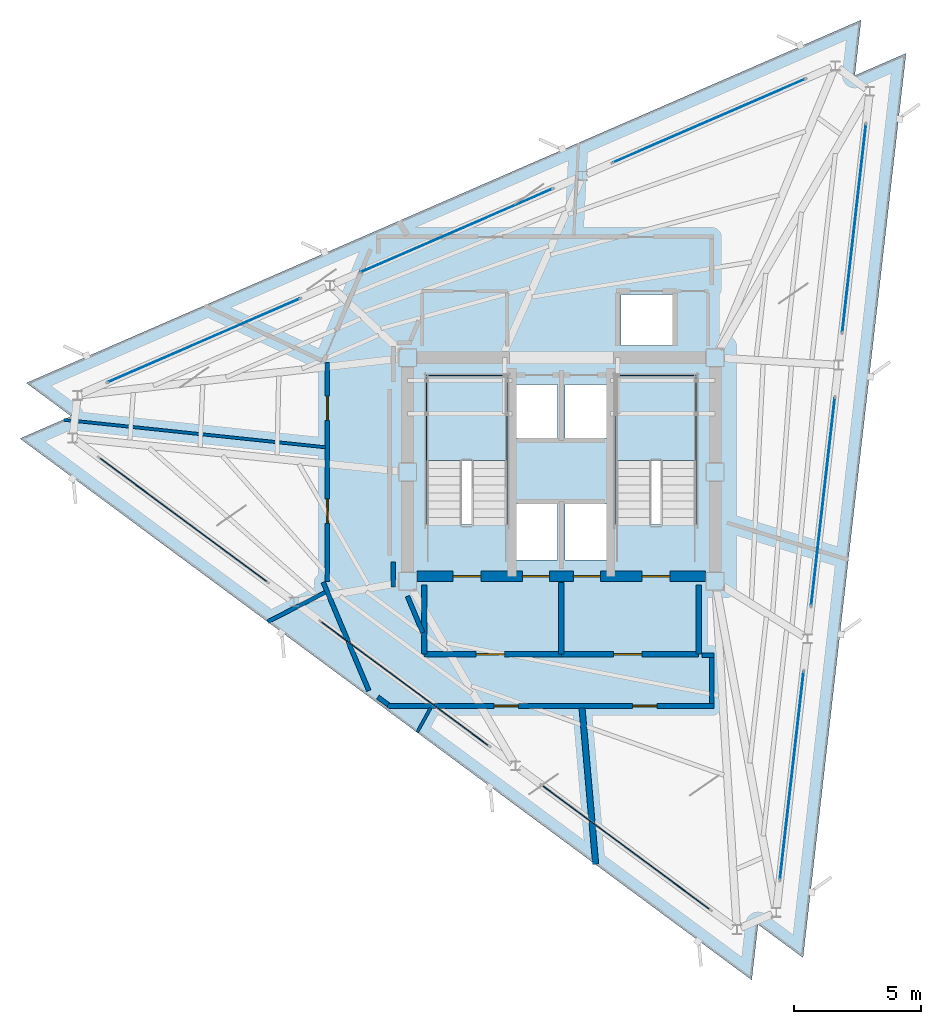
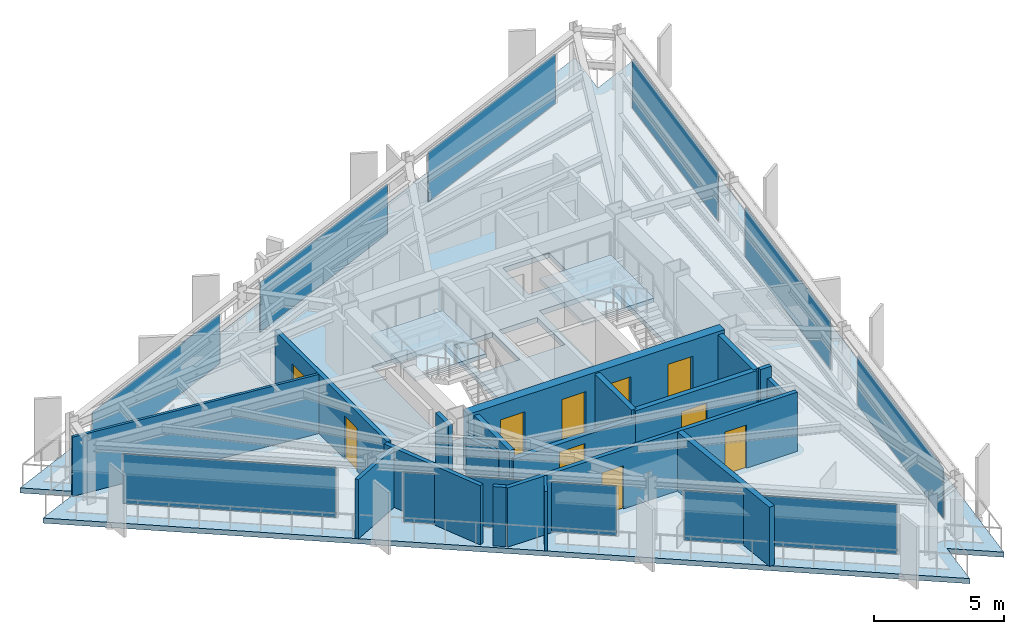
# One storey, part 5 of 10: 18 walls, 10 doors, 9 plates, 3 slabs, 10 openings, 11 elements without a shape of their own.
"""IFC4 building model written with IfcOpenShell, lengths in metres."""

from ifc_helpers import new_model, si_unit, direction, frame, frame_2d, origin, origin_2d, place, context, subcontext, project, spatial, polyline, rectangle, outline, extrude, material, layer, layer_set, type_object, element, fill, aggregate, save


model = new_model("IFC4")

# Units and contexts
model_context = context("Model", 3, precision=1e-05, world=origin(), true_north=direction((0.0, 1.0)))
body_context = subcontext(model_context, "Body", "Model", "MODEL_VIEW")
ifc_project = project(units=[si_unit("LENGTHUNIT", "METRE"), si_unit("AREAUNIT", "SQUARE_METRE"), si_unit("VOLUMEUNIT", "CUBIC_METRE"), si_unit("PLANEANGLEUNIT", "RADIAN"), si_unit("MASSUNIT", "GRAM", prefix="KILO")], contexts=[model_context])

# Site, building, storey
site_placement = place(None, origin())
site = spatial("IfcSite", under=ifc_project, at=site_placement, CompositionType="ELEMENT")
building_placement = place(site_placement, origin())
building = spatial("IfcBuilding", under=site, at=building_placement, Name="Rocaltana Carrier Exchange", CompositionType="ELEMENT")
storey_placement = place(building_placement, frame((0.0, 0.0, 230.080078125)))
storey = spatial("IfcBuildingStorey", under=building, at=storey_placement, Name="L73", CompositionType="ELEMENT", Elevation=230.080078125)

# Curtain wall, plate
ifc_material_1 = material(Name="Aluminium 6063-T6", Category="aluminium")
ifc_layer_1 = layer(ifc_material_1, 0.1201171875)
ifc_layer_set_1 = layer_set([ifc_layer_1], Name="Aluminium 6063-T6")
curtain_wall_type = type_object("IfcCurtainWallType", Name="High-Altitude Thermal Curtain Wall CW-05", PredefinedType="NOTDEFINED", material=ifc_layer_set_1)
curtain_wall_1_placement = place(storey_placement, origin())
curtain_wall_1 = element("IfcCurtainWall", 1, at=curtain_wall_1_placement, inside=storey, type_object=curtain_wall_type, Name="L73 CW-05 Run CW-L73-F1S1", PredefinedType="NOTDEFINED")
ifc_material_2 = material(Name="Tempered Laminated Glass", Category="glass")
ifc_layer_2 = layer(ifc_material_2, 0.035888671875)
ifc_layer_set_2 = layer_set([ifc_layer_2], Name="Tempered Laminated Glass")
plate_type = type_object("IfcPlateType", Name="CW-05 Stone-Insulated Vision Panel", PredefinedType="CURTAIN_PANEL", material=ifc_layer_set_2)
plate_1_placement = place(storey_placement, frame((9.061767578125, -11.935791015625, 0.06005859375), z_axis=(0.0, 0.0, 1.0), x_axis=(0.113208822277, 0.993571216652, 0.0)))
plate_1 = element("IfcPlate", 2, at=plate_1_placement, type_object=plate_type, Name="CW-05 panel 1.1", PredefinedType="CURTAIN_PANEL", context=body_context, shape_type="SweptSolid", body=[
    extrude(rectangle(XDim=8.21337890625, YDim=0.035888671875, at=origin_2d()), origin(), (0.0, 0.0, 1.0), 2.327880859375),
])
aggregate(curtain_wall_1, [plate_1])

curtain_wall_2_placement = place(storey_placement, origin())
curtain_wall_2 = element("IfcCurtainWall", 3, at=curtain_wall_2_placement, inside=storey, type_object=curtain_wall_type, Name="L73 CW-05 Run CW-L73-F1S2", PredefinedType="NOTDEFINED")
plate_2_placement = place(storey_placement, frame((10.2880859375, -1.172119140625, 0.06005859375), z_axis=(0.0, 0.0, 1.0), x_axis=(0.113208822277, 0.993571216652, 0.0)))
plate_2 = element("IfcPlate", 4, at=plate_2_placement, type_object=plate_type, Name="CW-05 panel 1.1", PredefinedType="CURTAIN_PANEL", context=body_context, shape_type="SweptSolid", body=[
    extrude(rectangle(XDim=8.21337890625, YDim=0.035888671875, at=origin_2d()), origin(), (0.0, 0.0, 1.0), 2.327880859375),
])
aggregate(curtain_wall_2, [plate_2])

curtain_wall_3_placement = place(storey_placement, origin())
curtain_wall_3 = element("IfcCurtainWall", 5, at=curtain_wall_3_placement, inside=storey, type_object=curtain_wall_type, Name="L73 CW-05 Run CW-L73-F1S3", PredefinedType="NOTDEFINED")
plate_3_placement = place(storey_placement, frame((11.5146484375, 9.591552734375, 0.06005859375), z_axis=(0.0, 0.0, 1.0), x_axis=(0.113196975964, 0.993572566365, 0.0)))
plate_3 = element("IfcPlate", 6, at=plate_3_placement, type_object=plate_type, Name="CW-05 panel 1.1", PredefinedType="CURTAIN_PANEL", context=body_context, shape_type="SweptSolid", body=[
    extrude(rectangle(XDim=8.21337890625, YDim=0.035888671875, at=origin_2d()), origin(), (0.0, 0.0, 1.0), 2.327880859375),
])
aggregate(curtain_wall_3, [plate_3])

curtain_wall_4_placement = place(storey_placement, origin())
curtain_wall_4 = element("IfcCurtainWall", 7, at=curtain_wall_4_placement, inside=storey, type_object=curtain_wall_type, Name="L73 CW-05 Run CW-L73-F2S1", PredefinedType="NOTDEFINED")
plate_4_placement = place(storey_placement, frame((5.805908203125, 13.815673828125, 0.06005859375), z_axis=(0.0, 0.0, 1.0), x_axis=(-0.917056701313, -0.39875682637, 0.0)))
plate_4 = element("IfcPlate", 8, at=plate_4_placement, type_object=plate_type, Name="CW-05 panel 1.1", PredefinedType="CURTAIN_PANEL", context=body_context, shape_type="SweptSolid", body=[
    extrude(rectangle(XDim=8.21337890625, YDim=0.035888671875, at=origin_2d()), origin(), (0.0, 0.0, 1.0), 2.327880859375),
])
aggregate(curtain_wall_4, [plate_4])

curtain_wall_5_placement = place(storey_placement, origin())
curtain_wall_5 = element("IfcCurtainWall", 9, at=curtain_wall_5_placement, inside=storey, type_object=curtain_wall_type, Name="L73 CW-05 Run CW-L73-F2S2", PredefinedType="NOTDEFINED")
plate_5_placement = place(storey_placement, frame((-4.12890625, 9.495849609375, 0.06005859375), z_axis=(0.0, 0.0, 1.0), x_axis=(-0.917058609352, -0.398752438254, 0.0)))
plate_5 = element("IfcPlate", 10, at=plate_5_placement, type_object=plate_type, Name="CW-05 panel 1.1", PredefinedType="CURTAIN_PANEL", context=body_context, shape_type="SweptSolid", body=[
    extrude(rectangle(XDim=8.21337890625, YDim=0.035888671875, at=origin_2d()), origin(), (0.0, 0.0, 1.0), 2.327880859375),
])
aggregate(curtain_wall_5, [plate_5])

curtain_wall_6_placement = place(storey_placement, origin())
curtain_wall_6 = element("IfcCurtainWall", 11, at=curtain_wall_6_placement, inside=storey, type_object=curtain_wall_type, Name="L73 CW-05 Run CW-L73-F2S3", PredefinedType="NOTDEFINED")
plate_6_placement = place(storey_placement, frame((-14.063720703125, 5.176025390625, 0.06005859375), z_axis=(0.0, 0.0, 1.0), x_axis=(-0.917056701313, -0.39875682637, 0.0)))
plate_6 = element("IfcPlate", 12, at=plate_6_placement, type_object=plate_type, Name="CW-05 panel 1.1", PredefinedType="CURTAIN_PANEL", context=body_context, shape_type="SweptSolid", body=[
    extrude(rectangle(XDim=8.21337890625, YDim=0.035888671875, at=origin_2d()), origin(), (0.0, 0.0, 1.0), 2.327880859375),
])
aggregate(curtain_wall_6, [plate_6])

curtain_wall_7_placement = place(storey_placement, origin())
curtain_wall_7 = element("IfcCurtainWall", 13, at=curtain_wall_7_placement, inside=storey, type_object=curtain_wall_type, Name="L73 CW-05 Run CW-L73-F3S1", PredefinedType="NOTDEFINED")
plate_7_placement = place(storey_placement, frame((-14.86767578125, -1.8798828125, 0.06005859375), z_axis=(0.0, 0.0, 1.0), x_axis=(0.803854063386, -0.594826566974, 0.0)))
plate_7 = element("IfcPlate", 14, at=plate_7_placement, type_object=plate_type, Name="CW-05 panel 1.1", PredefinedType="CURTAIN_PANEL", context=body_context, shape_type="SweptSolid", body=[
    extrude(rectangle(XDim=8.21337890625, YDim=0.035888671875, at=origin_2d()), origin(), (0.0, 0.0, 1.0), 2.327880859375),
])
aggregate(curtain_wall_7, [plate_7])

curtain_wall_8_placement = place(storey_placement, origin())
curtain_wall_8 = element("IfcCurtainWall", 15, at=curtain_wall_8_placement, inside=storey, type_object=curtain_wall_type, Name="L73 CW-05 Run CW-L73-F3S2", PredefinedType="NOTDEFINED")
plate_8_placement = place(storey_placement, frame((-6.1591796875, -8.32373046875, 0.06005859375), z_axis=(0.0, 0.0, 1.0), x_axis=(0.803858309141, -0.594820829179, 0.0)))
plate_8 = element("IfcPlate", 16, at=plate_8_placement, type_object=plate_type, Name="CW-05 panel 1.1", PredefinedType="CURTAIN_PANEL", context=body_context, shape_type="SweptSolid", body=[
    extrude(rectangle(XDim=8.21337890625, YDim=0.035888671875, at=origin_2d()), origin(), (0.0, 0.0, 1.0), 2.327880859375),
])
aggregate(curtain_wall_8, [plate_8])

curtain_wall_9_placement = place(storey_placement, origin())
curtain_wall_9 = element("IfcCurtainWall", 17, at=curtain_wall_9_placement, inside=storey, type_object=curtain_wall_type, Name="L73 CW-05 Run CW-L73-F3S3", PredefinedType="NOTDEFINED")
plate_9_placement = place(storey_placement, frame((2.54931640625, -14.767578125, 0.06005859375), z_axis=(0.0, 0.0, 1.0), x_axis=(0.803854063386, -0.594826566974, 0.0)))
plate_9 = element("IfcPlate", 18, at=plate_9_placement, type_object=plate_type, Name="CW-05 panel 1.1", PredefinedType="CURTAIN_PANEL", context=body_context, shape_type="SweptSolid", body=[
    extrude(rectangle(XDim=8.21337890625, YDim=0.035888671875, at=origin_2d()), origin(), (0.0, 0.0, 1.0), 2.327880859375),
])
aggregate(curtain_wall_9, [plate_9])

# Slab
ifc_material_3 = material(Name="Concrete C50/60", Category="concrete")
ifc_layer_3 = layer(ifc_material_3, 0.239990234375)
ifc_layer_set_3 = layer_set([ifc_layer_3], Name="Concrete C50/60")
slab_type_1 = type_object("IfcSlabType", Name="High-Zone Tower Slab 240", PredefinedType="FLOOR", material=ifc_layer_set_3)
slab_1_placement = place(storey_placement, frame((0.0, 0.0, -0.239990234375)))
element("IfcSlab", 19, at=slab_1_placement, inside=storey, type_object=slab_type_1, Name="L73 Structural Floor Slab", PredefinedType="FLOOR", context=body_context, shape_type="SweptSolid", body=[
    extrude(outline(polyline([(7.486328125, -19.975830078125), (7.7353515625, -17.7900390625), (9.50390625, -19.0986328125), (13.556396484375, 16.47119140625), (11.538818359375, 15.593994140625), (11.7880859375, 17.77978515625), (-21.042724609375, 3.504638671875), (-19.2744140625, 2.196044921875), (-21.291748046875, 1.31884765625), (7.486328125, -19.975830078125)]), holes=[polyline([(-5.300048828125, -2.06005859375), (-2.139892578125, -2.06005859375), (-2.139892578125, 3.800048828125), (-5.300048828125, 3.800048828125), (-5.300048828125, -2.06005859375)]), polyline([(2.139892578125, -2.06005859375), (5.300048828125, -2.06005859375), (5.300048828125, 3.800048828125), (2.139892578125, 3.800048828125), (2.139892578125, -2.06005859375)]), polyline([(-1.85009765625, -3.449951171875), (-0.14990234375, -3.449951171875), (-0.14990234375, -1.25), (-1.85009765625, -1.25), (-1.85009765625, -3.449951171875)]), polyline([(0.14990234375, -3.449951171875), (1.85009765625, -3.449951171875), (1.85009765625, -1.25), (0.14990234375, -1.25), (0.14990234375, -3.449951171875)]), polyline([(2.35009765625, 4.97998046875), (4.39990234375, 4.97998046875), (4.39990234375, 6.97998046875), (2.35009765625, 6.97998046875), (2.35009765625, 4.97998046875)]), polyline([(-1.85009765625, 1.35009765625), (-0.14990234375, 1.35009765625), (-0.14990234375, 3.449951171875), (-1.85009765625, 3.449951171875), (-1.85009765625, 1.35009765625)]), polyline([(0.14990234375, 1.35009765625), (1.85009765625, 1.35009765625), (1.85009765625, 3.449951171875), (0.14990234375, 3.449951171875), (0.14990234375, 1.35009765625)])]), origin(), (0.0, 0.0, 1.0), 0.239990234375),
])

# Stair, slab
ifc_material_4 = material(Name="Precast concrete C45/55", Category="concrete")
stair_type = type_object("IfcStairType", Name="Standard Dog-Leg Stair 160", PredefinedType="HALF_TURN_STAIR", material=ifc_material_4)
stair_1_placement = place(storey_placement, origin())
stair_1 = element("IfcStair", 20, at=stair_1_placement, inside=storey, type_object=stair_type, Name="L73 Core West Exit Stair ST-1", PredefinedType="HALF_TURN_STAIR")
ifc_material_5 = material(Name="Precast concrete C45/55", Category="concrete")
ifc_layer_4 = layer(ifc_material_5, 0.199951171875)
ifc_layer_set_4 = layer_set([ifc_layer_4], Name="Precast concrete C45/55")
slab_type_2 = type_object("IfcSlabType", Name="Precast Stair Half-Landing 200", PredefinedType="LANDING", material=ifc_layer_set_4)
slab_2_placement = place(storey_placement, frame((0.0, 0.0, 1.31982421875)))
slab_2 = element("IfcSlab", 21, at=slab_2_placement, type_object=slab_type_2, Name="ST-1 landing 1", PredefinedType="LANDING", context=body_context, shape_type="SweptSolid", body=[
    extrude(outline(polyline([(-2.139892578125, 0.4599609375), (-2.139892578125, 3.800048828125), (-5.300048828125, 3.800048828125), (-5.300048828125, 0.4599609375), (-2.139892578125, 0.4599609375)])), origin(), (0.0, 0.0, 1.0), 0.2001953125),
])
aggregate(stair_1, [slab_2])

stair_2_placement = place(storey_placement, origin())
stair_2 = element("IfcStair", 22, at=stair_2_placement, inside=storey, type_object=stair_type, Name="L73 Core East Exit Stair ST-2", PredefinedType="HALF_TURN_STAIR")
slab_3_placement = place(storey_placement, frame((0.0, 0.0, 1.31982421875)))
slab_3 = element("IfcSlab", 23, at=slab_3_placement, type_object=slab_type_2, Name="ST-2 landing 1", PredefinedType="LANDING", context=body_context, shape_type="SweptSolid", body=[
    extrude(outline(polyline([(5.300048828125, 0.4599609375), (5.300048828125, 3.800048828125), (2.139892578125, 3.800048828125), (2.139892578125, 0.4599609375), (5.300048828125, 0.4599609375)])), origin(), (0.0, 0.0, 1.0), 0.2001953125),
])
aggregate(stair_2, [slab_3])

# Wall
ifc_material_6 = material(Name="Double Acoustic Gypsum Partition", Category="gypsum")
ifc_layer_5 = layer(ifc_material_6, 0.159912109375)
ifc_layer_set_5 = layer_set([ifc_layer_5], Name="Double Acoustic Gypsum Partition")
wall_type_1 = type_object("IfcWallType", Name="Acoustic Studio Partition 160 EI60", PredefinedType="PARTITIONING", material=ifc_layer_set_5)
wall_1_placement = place(storey_placement, frame((-9.28564453125, -4.731201171875, 0.0), z_axis=(0.0, 0.0, 1.0), x_axis=(-0.890990970919, -0.454021023456, 0.0)))
element("IfcWall", 24, at=wall_1_placement, inside=storey, type_object=wall_type_1, Name="L73 Suite Divider Wall D1", PredefinedType="PARTITIONING", context=body_context, shape_type="SweptSolid", body=[
    extrude(rectangle(XDim=2.534423828125, YDim=0.159912109375, at=frame_2d((1.26708984375, 0.0))), origin(), (0.0, 0.0, 1.0), 2.77294921875),
])

# Wall, openings, doors
ifc_material_7 = material(Name="Concrete C50/60", Category="concrete")
ifc_layer_6 = layer(ifc_material_7, 0.39990234375)
ifc_layer_set_6 = layer_set([ifc_layer_6], Name="Concrete C50/60")
wall_type_2 = type_object("IfcWallType", Name="Core Internal Shear Wall 400", PredefinedType="SHEAR", material=ifc_layer_set_6)
wall_2_placement = place(storey_placement, frame((-5.675048828125, -4.10009765625, 0.0), z_axis=(0.0, 0.0, 1.0), x_axis=(1.0, 0.0, 0.0)))
wall_2 = element("IfcWall", 25, at=wall_2_placement, inside=storey, type_object=wall_type_2, Name="L73 Core Shear Wall CW-S", PredefinedType="SHEAR", context=body_context, shape_type="SweptSolid", body=[
    extrude(rectangle(XDim=11.35009765625, YDim=0.39990234375, at=frame_2d((5.675048828125, 0.0))), origin(), (0.0, 0.0, 1.0), 2.7978515625),
])
opening_1_placement = place(wall_2_placement, frame((1.405029296875, 0.0, 0.0)))
opening_1 = element("IfcOpeningElement", 26, at=opening_1_placement, cuts=wall_2, Name="Opening D-ST110", PredefinedType="OPENING", context=body_context, shape_type="SweptSolid", body=[
    extrude(rectangle(XDim=1.10009765625, YDim=2.0400390625, at=frame_2d((0.550048828125, 1.02001953125))), frame((0.0, 0.2099609375, 0.0), z_axis=(0.0, -1.0, 0.0), x_axis=(1.0, 0.0, 0.0)), (0.0, 0.0, 1.0), 0.419921875),
])
opening_2_placement = place(wall_2_placement, frame((8.844970703125, 0.0, 0.0)))
opening_2 = element("IfcOpeningElement", 27, at=opening_2_placement, cuts=wall_2, Name="Opening D-ST110", PredefinedType="OPENING", context=body_context, shape_type="SweptSolid", body=[
    extrude(rectangle(XDim=1.10009765625, YDim=2.0400390625, at=frame_2d((0.550048828125, 1.02001953125))), frame((0.0, 0.2099609375, 0.0), z_axis=(0.0, -1.0, 0.0), x_axis=(1.0, 0.0, 0.0)), (0.0, 0.0, 1.0), 0.419921875),
])
opening_3_placement = place(wall_2_placement, frame((4.14501953125, 0.0, 0.0)))
opening_3 = element("IfcOpeningElement", 28, at=opening_3_placement, cuts=wall_2, Name="Opening LD-110", PredefinedType="OPENING", context=body_context, shape_type="SweptSolid", body=[
    extrude(rectangle(XDim=1.06005859375, YDim=2.0400390625, at=frame_2d((0.530029296875, 1.02001953125))), frame((0.0, 0.2099609375, 0.0), z_axis=(0.0, -1.0, 0.0), x_axis=(1.0, 0.0, 0.0)), (0.0, 0.0, 1.0), 0.419921875),
])
opening_4_placement = place(wall_2_placement, frame((6.14501953125, 0.0, 0.0)))
opening_4 = element("IfcOpeningElement", 29, at=opening_4_placement, cuts=wall_2, Name="Opening LD-110", PredefinedType="OPENING", context=body_context, shape_type="SweptSolid", body=[
    extrude(rectangle(XDim=1.06005859375, YDim=2.0400390625, at=frame_2d((0.530029296875, 1.02001953125))), frame((0.0, 0.2099609375, 0.0), z_axis=(0.0, -1.0, 0.0), x_axis=(1.0, 0.0, 0.0)), (0.0, 0.0, 1.0), 0.419921875),
])
ifc_material_8 = material(Name="Hollow Metal Fire Door Assembly", Category="steel")
door_type_1 = type_object("IfcDoorType", Name="Exit Stair Fire Door 1100x2040 FD90S", OperationType="NOTDEFINED", PredefinedType="DOOR", material=ifc_material_8)
door_1_placement = place(opening_1_placement, origin())
door_1 = element("IfcDoor", 30, at=door_1_placement, inside=storey, type_object=door_type_1, Name="L73 Exit Stair ST1 Fire Door", OperationType="SINGLE_SWING_RIGHT", OverallHeight=2.0400390625, OverallWidth=1.10009765625, PredefinedType="DOOR", context=body_context, shape_type="SweptSolid", body=[
    extrude(rectangle(XDim=1.10009765625, YDim=2.0400390625, at=frame_2d((0.550048828125, 1.02001953125))), frame((0.0, 0.02490234375, 0.0), z_axis=(0.0, -1.0, 0.0), x_axis=(1.0, 0.0, 0.0)), (0.0, 0.0, 1.0), 0.050048828125),
])
fill(opening_1, door_1)
door_2_placement = place(opening_2_placement, origin())
door_2 = element("IfcDoor", 31, at=door_2_placement, inside=storey, type_object=door_type_1, Name="L73 Exit Stair ST2 Fire Door", OperationType="SINGLE_SWING_LEFT", OverallHeight=2.0400390625, OverallWidth=1.10009765625, PredefinedType="DOOR", context=body_context, shape_type="SweptSolid", body=[
    extrude(rectangle(XDim=1.10009765625, YDim=2.0400390625, at=frame_2d((0.550048828125, 1.02001953125))), frame((0.0, 0.02490234375, 0.0), z_axis=(0.0, -1.0, 0.0), x_axis=(1.0, 0.0, 0.0)), (0.0, 0.0, 1.0), 0.050048828125),
])
fill(opening_2, door_2)
ifc_material_9 = material(Name="Brushed Stainless Sliding Door Leaf", Category="steel")
door_type_2 = type_object("IfcDoorType", Name="Lift Landing Sliding Door 1060x2040", OperationType="NOTDEFINED", PredefinedType="DOOR", material=ifc_material_9)
door_3_placement = place(opening_3_placement, origin())
door_3 = element("IfcDoor", 32, at=door_3_placement, inside=storey, type_object=door_type_2, Name="L73 Firefighting Lift FFL1 Landing Door", OperationType="SLIDING_TO_LEFT", OverallHeight=2.0400390625, OverallWidth=1.06005859375, PredefinedType="DOOR", context=body_context, shape_type="SweptSolid", body=[
    extrude(rectangle(XDim=1.06005859375, YDim=2.0400390625, at=frame_2d((0.530029296875, 1.02001953125))), frame((0.0, 0.02490234375, 0.0), z_axis=(0.0, -1.0, 0.0), x_axis=(1.0, 0.0, 0.0)), (0.0, 0.0, 1.0), 0.050048828125),
])
fill(opening_3, door_3)
door_4_placement = place(opening_4_placement, origin())
door_4 = element("IfcDoor", 33, at=door_4_placement, inside=storey, type_object=door_type_2, Name="L73 Firefighting Lift FFL2 Landing Door", OperationType="SLIDING_TO_RIGHT", OverallHeight=2.0400390625, OverallWidth=1.06005859375, PredefinedType="DOOR", context=body_context, shape_type="SweptSolid", body=[
    extrude(rectangle(XDim=1.06005859375, YDim=2.0400390625, at=frame_2d((0.530029296875, 1.02001953125))), frame((0.0, 0.02490234375, 0.0), z_axis=(0.0, -1.0, 0.0), x_axis=(1.0, 0.0, 0.0)), (0.0, 0.0, 1.0), 0.050048828125),
])
fill(opening_4, door_4)

# Wall
ifc_material_10 = material(Name="Gypsum & Steel Stud Partition", Category="steel")
ifc_layer_7 = layer(ifc_material_10, 0.179931640625)
ifc_layer_set_7 = layer_set([ifc_layer_7], Name="Gypsum & Steel Stud Partition")
wall_type_3 = type_object("IfcWallType", Name="Corridor Fire Partition 180 EI60", PredefinedType="PARTITIONING", material=ifc_layer_set_7)
wall_3_placement = place(storey_placement, frame((-7.573974609375, -8.595703125, 0.0), z_axis=(0.0, 0.0, 1.0), x_axis=(-0.38757793583, 0.921836939842, 0.0)))
element("IfcWall", 34, at=wall_3_placement, inside=storey, type_object=wall_type_3, Name="L73 Corridor Partition 1", PredefinedType="PARTITIONING", context=body_context, shape_type="SweptSolid", body=[
    extrude(rectangle(XDim=4.62548828125, YDim=0.179931640625, at=frame_2d((2.312744140625, 0.0))), origin(), (0.0, 0.0, 1.0), 2.77294921875),
])

# Wall, openings, doors
wall_4_placement = place(storey_placement, frame((-9.199951171875, -4.303466796875, 0.0), z_axis=(0.0, 0.0, 1.0), x_axis=(0.0, 1.0, 0.0)))
wall_4 = element("IfcWall", 35, at=wall_4_placement, inside=storey, type_object=wall_type_3, Name="L73 Corridor Partition 2", PredefinedType="PARTITIONING", context=body_context, shape_type="SweptSolid", body=[
    extrude(rectangle(XDim=8.60693359375, YDim=0.179931640625, at=frame_2d((4.303466796875, 0.0))), origin(), (0.0, 0.0, 1.0), 2.77294921875),
])
opening_5_placement = place(wall_4_placement, frame((2.289306640625, 0.0, 0.0)))
opening_5 = element("IfcOpeningElement", 36, at=opening_5_placement, cuts=wall_4, Name="Opening D-RM098", PredefinedType="OPENING", context=body_context, shape_type="SweptSolid", body=[
    extrude(rectangle(XDim=0.9599609375, YDim=2.02001953125, at=frame_2d((0.47998046875, 1.010009765625))), frame((0.0, 0.099853515625, 0.0), z_axis=(0.0, -1.0, 0.0), x_axis=(1.0, 0.0, 0.0)), (0.0, 0.0, 1.0), 0.199951171875),
])
opening_6_placement = place(wall_4_placement, frame((6.3330078125, 0.0, 0.0)))
opening_6 = element("IfcOpeningElement", 37, at=opening_6_placement, cuts=wall_4, Name="Opening D-RM098", PredefinedType="OPENING", context=body_context, shape_type="SweptSolid", body=[
    extrude(rectangle(XDim=0.9599609375, YDim=2.02001953125, at=frame_2d((0.47998046875, 1.010009765625))), frame((0.0, 0.099853515625, 0.0), z_axis=(0.0, -1.0, 0.0), x_axis=(1.0, 0.0, 0.0)), (0.0, 0.0, 1.0), 0.199951171875),
])
ifc_material_11 = material(Name="Engineered Hardwood Timber", Category="wood")
door_type_3 = type_object("IfcDoorType", Name="Workspace Single Door 960x2020", OperationType="NOTDEFINED", PredefinedType="DOOR", material=ifc_material_11)
door_5_placement = place(opening_5_placement, origin())
door_5 = element("IfcDoor", 38, at=door_5_placement, inside=storey, type_object=door_type_3, Name="L73 Client Reception Foyer Entrance Door", OperationType="SINGLE_SWING_RIGHT", OverallHeight=2.02001953125, OverallWidth=0.9599609375, PredefinedType="DOOR", context=body_context, shape_type="SweptSolid", body=[
    extrude(rectangle(XDim=0.9599609375, YDim=2.02001953125, at=frame_2d((0.47998046875, 1.010009765625))), frame((0.0, 0.02490234375, 0.0), z_axis=(0.0, -1.0, 0.0), x_axis=(1.0, 0.0, 0.0)), (0.0, 0.0, 1.0), 0.050048828125),
])
fill(opening_5, door_5)
door_6_placement = place(opening_6_placement, origin())
door_6 = element("IfcDoor", 39, at=door_6_placement, inside=storey, type_object=door_type_3, Name="L73 Client Reception Foyer Entrance Door", OperationType="SINGLE_SWING_RIGHT", OverallHeight=2.02001953125, OverallWidth=0.9599609375, PredefinedType="DOOR", context=body_context, shape_type="SweptSolid", body=[
    extrude(rectangle(XDim=0.9599609375, YDim=2.02001953125, at=frame_2d((0.47998046875, 1.010009765625))), frame((0.0, 0.02490234375, 0.0), z_axis=(0.0, -1.0, 0.0), x_axis=(1.0, 0.0, 0.0)), (0.0, 0.0, 1.0), 0.050048828125),
])
fill(opening_6, door_6)

# Walls
wall_5_placement = place(storey_placement, frame((-6.610107421875, -3.541259765625, 0.0), z_axis=(0.0, 0.0, 1.0), x_axis=(0.0, -1.0, 0.0)))
element("IfcWall", 40, at=wall_5_placement, inside=storey, type_object=wall_type_3, Name="L73 Corridor Partition 12", PredefinedType="PARTITIONING", context=body_context, shape_type="SweptSolid", body=[
    extrude(rectangle(XDim=0.978759765625, YDim=0.179931640625, at=frame_2d((0.4892578125, 0.0))), origin(), (0.0, 0.0, 1.0), 2.77294921875),
])
wall_6_placement = place(storey_placement, frame((-6.0546875, -4.881591796875, 0.0), z_axis=(0.0, 0.0, 1.0), x_axis=(0.387579540458, -0.921836265189, 0.0)))
element("IfcWall", 41, at=wall_6_placement, inside=storey, type_object=wall_type_3, Name="L73 Corridor Partition 13", PredefinedType="PARTITIONING", context=body_context, shape_type="SweptSolid", body=[
    extrude(rectangle(XDim=1.5546875, YDim=0.179931640625, at=frame_2d((0.77734375, 0.0))), origin(), (0.0, 0.0, 1.0), 2.2529296875),
])
wall_7_placement = place(storey_placement, frame((5.530029296875, -7.199951171875, 0.0), z_axis=(0.0, 0.0, 1.0), x_axis=(1.0, 0.0, 0.0)))
element("IfcWall", 42, at=wall_7_placement, inside=storey, type_object=wall_type_3, Name="L73 Corridor Partition 14", PredefinedType="PARTITIONING", context=body_context, shape_type="SweptSolid", body=[
    extrude(rectangle(XDim=0.47998046875, YDim=0.179931640625, at=frame_2d((0.239990234375, 0.0))), origin(), (0.0, 0.0, 1.0), 2.77294921875),
])
wall_8_placement = place(storey_placement, frame((5.919921875, -7.2900390625, 0.0), z_axis=(0.0, 0.0, 1.0), x_axis=(0.0, -1.0, 0.0)))
element("IfcWall", 43, at=wall_8_placement, inside=storey, type_object=wall_type_3, Name="L73 Corridor Partition 15", PredefinedType="PARTITIONING", context=body_context, shape_type="SweptSolid", body=[
    extrude(rectangle(XDim=1.820068359375, YDim=0.179931640625, at=frame_2d((0.91015625, 0.0))), origin(), (0.0, 0.0, 1.0), 2.2529296875),
])

# Wall, openings, doors
wall_9_placement = place(storey_placement, frame((6.010009765625, -9.199951171875, 0.0), z_axis=(0.0, 0.0, 1.0), x_axis=(-1.0, 0.0, 0.0)))
wall_9 = element("IfcWall", 44, at=wall_9_placement, inside=storey, type_object=wall_type_3, Name="L73 Corridor Partition 16", PredefinedType="PARTITIONING", context=body_context, shape_type="SweptSolid", body=[
    extrude(rectangle(XDim=12.840087890625, YDim=0.179931640625, at=frame_2d((6.419921875, 0.0))), origin(), (0.0, 0.0, 1.0), 2.77294921875),
])
opening_7_placement = place(wall_9_placement, frame((7.6982421875, 0.0, 0.0)))
opening_7 = element("IfcOpeningElement", 45, at=opening_7_placement, cuts=wall_9, Name="Opening D-RM098", PredefinedType="OPENING", context=body_context, shape_type="SweptSolid", body=[
    extrude(rectangle(XDim=0.9599609375, YDim=2.02001953125, at=frame_2d((0.47998046875, 1.010009765625))), frame((0.0, 0.099853515625, 0.0), z_axis=(0.0, -1.0, 0.0), x_axis=(1.0, 0.0, 0.0)), (0.0, 0.0, 1.0), 0.199951171875),
])
opening_8_placement = place(wall_9_placement, frame((2.2490234375, 0.0, 0.0)))
opening_8 = element("IfcOpeningElement", 46, at=opening_8_placement, cuts=wall_9, Name="Opening D-RM098", PredefinedType="OPENING", context=body_context, shape_type="SweptSolid", body=[
    extrude(rectangle(XDim=0.9599609375, YDim=2.02001953125, at=frame_2d((0.47998046875, 1.010009765625))), frame((0.0, 0.099853515625, 0.0), z_axis=(0.0, -1.0, 0.0), x_axis=(1.0, 0.0, 0.0)), (0.0, 0.0, 1.0), 0.199951171875),
])
door_7_placement = place(opening_7_placement, origin())
door_7 = element("IfcDoor", 47, at=door_7_placement, inside=storey, type_object=door_type_3, Name="L73 Staff Break Pantry Entrance Door", OperationType="SINGLE_SWING_LEFT", OverallHeight=2.02001953125, OverallWidth=0.9599609375, PredefinedType="DOOR", context=body_context, shape_type="SweptSolid", body=[
    extrude(rectangle(XDim=0.9599609375, YDim=2.02001953125, at=frame_2d((0.47998046875, 1.010009765625))), frame((0.0, 0.02490234375, 0.0), z_axis=(0.0, -1.0, 0.0), x_axis=(1.0, 0.0, 0.0)), (0.0, 0.0, 1.0), 0.050048828125),
])
fill(opening_7, door_7)
door_8_placement = place(opening_8_placement, origin())
door_8 = element("IfcDoor", 48, at=door_8_placement, inside=storey, type_object=door_type_3, Name="L73 Client Reception Foyer Entrance Door", OperationType="SINGLE_SWING_RIGHT", OverallHeight=2.02001953125, OverallWidth=0.9599609375, PredefinedType="DOOR", context=body_context, shape_type="SweptSolid", body=[
    extrude(rectangle(XDim=0.9599609375, YDim=2.02001953125, at=frame_2d((0.47998046875, 1.010009765625))), frame((0.0, 0.02490234375, 0.0), z_axis=(0.0, -1.0, 0.0), x_axis=(1.0, 0.0, 0.0)), (0.0, 0.0, 1.0), 0.050048828125),
])
fill(opening_8, door_8)

# Walls
wall_10_placement = place(storey_placement, frame((-6.8125, -9.146484375, 0.0), z_axis=(0.0, 0.0, 1.0), x_axis=(-0.803893055119, 0.594773869577, 0.0)))
element("IfcWall", 49, at=wall_10_placement, inside=storey, type_object=wall_type_3, Name="L73 Corridor Partition 17", PredefinedType="PARTITIONING", context=body_context, shape_type="SweptSolid", body=[
    extrude(rectangle(XDim=0.501953125, YDim=0.179931640625, at=frame_2d((0.2509765625, 0.0))), origin(), (0.0, 0.0, 1.0), 2.77294921875),
])
ifc_material_12 = material(Name="Aluminium 6063-T6 & Acoustic Glass", Category="aluminium")
ifc_layer_8 = layer(ifc_material_12, 0.114990234375)
ifc_layer_set_8 = layer_set([ifc_layer_8], Name="Aluminium 6063-T6 & Acoustic Glass")
wall_type_4 = type_object("IfcWallType", Name="Demountable Glazed Lab Partition 115", PredefinedType="MOVABLE", material=ifc_layer_set_8)
wall_11_placement = place(storey_placement, frame((-5.14404296875, -9.280029296875, 0.0), z_axis=(0.0, 0.0, 1.0), x_axis=(-0.484725114425, -0.874666544144, 0.0)))
element("IfcWall", 50, at=wall_11_placement, inside=storey, type_object=wall_type_4, Name="L73 Suite Divider Wall D2", PredefinedType="MOVABLE", context=body_context, shape_type="SweptSolid", body=[
    extrude(rectangle(XDim=1.08447265625, YDim=0.114990234375, at=frame_2d((0.542236328125, 0.0))), origin(), (0.0, 0.0, 1.0), 2.77294921875),
])
wall_12_placement = place(storey_placement, frame((-9.280029296875, 0.975341796875, 0.0), z_axis=(0.0, 0.0, 1.0), x_axis=(-0.994520958229, 0.104537379166, 0.0)))
element("IfcWall", 51, at=wall_12_placement, inside=storey, type_object=wall_type_4, Name="L73 Suite Divider Wall D8", PredefinedType="MOVABLE", context=body_context, shape_type="SweptSolid", body=[
    extrude(rectangle(XDim=10.345947265625, YDim=0.114990234375, at=frame_2d((5.1728515625, 0.0))), origin(), (0.0, 0.0, 1.0), 2.77294921875),
])
ifc_material_13 = material(Name="Autoclaved Aerated Concrete C30/37", Category="concrete")
ifc_layer_9 = layer(ifc_material_13, 0.219970703125)
ifc_layer_set_9 = layer_set([ifc_layer_9], Name="Autoclaved Aerated Concrete C30/37")
wall_type_5 = type_object("IfcWallType", Name="Firefighting Lobby Wall 220 EI120", PredefinedType="PARTITIONING", material=ifc_layer_set_9)
for number, where, z_axis, x_axis, name in (
    (52, (-5.39990234375, -7.159912109375, 0.0), (0.0, 0.0, 1.0), (0.0, 1.0, 0.0), "L73 FFL Lobby 1 West Wall"),
    (53, (5.39990234375, -7.159912109375, 0.0), (0.0, 0.0, 1.0), (0.0, 1.0, 0.0), "L73 FFL Lobby 2 East Wall"),
):
    element("IfcWall", number, at=place(storey_placement, frame(where, z_axis=z_axis, x_axis=x_axis)), inside=storey, type_object=wall_type_5, Name=name, PredefinedType="PARTITIONING", context=body_context, shape_type="SweptSolid", body=[
        extrude(rectangle(XDim=2.7099609375, YDim=0.219970703125, at=frame_2d((1.35498046875, 0.0))), origin(), (0.0, 0.0, 1.0), 2.77294921875),
    ])
wall_13_placement = place(storey_placement, frame((0.0, -7.159912109375, 0.0), z_axis=(0.0, 0.0, 1.0), x_axis=(0.0, 1.0, 0.0)))
element("IfcWall", 54, at=wall_13_placement, inside=storey, type_object=wall_type_5, Name="L73 FFL Lobby Centre Wall", PredefinedType="PARTITIONING", context=body_context, shape_type="SweptSolid", body=[
    extrude(rectangle(XDim=2.809814453125, YDim=0.219970703125, at=frame_2d((1.40478515625, 0.0))), origin(), (0.0, 0.0, 1.0), 2.77294921875),
])

# Wall, opening, door
wall_14_placement = place(storey_placement, frame((-5.39990234375, -7.159912109375, 0.0), z_axis=(0.0, 0.0, 1.0), x_axis=(1.0, 0.0, 0.0)))
wall_14 = element("IfcWall", 55, at=wall_14_placement, inside=storey, type_object=wall_type_5, Name="L73 FFL Lobby 1 South Wall", PredefinedType="PARTITIONING", context=body_context, shape_type="SweptSolid", body=[
    extrude(rectangle(XDim=5.39990234375, YDim=0.219970703125, at=frame_2d((2.699951171875, 0.0))), origin(), (0.0, 0.0, 1.0), 2.39501953125),
])
opening_9_placement = place(wall_14_placement, frame((2.050048828125, 0.0, 0.0)))
opening_9 = element("IfcOpeningElement", 56, at=opening_9_placement, cuts=wall_14, Name="Opening D-FF115", PredefinedType="OPENING", context=body_context, shape_type="SweptSolid", body=[
    extrude(rectangle(XDim=1.1201171875, YDim=2.02001953125, at=frame_2d((0.56005859375, 1.010009765625))), frame((0.0, 0.119873046875, 0.0), z_axis=(0.0, -1.0, 0.0), x_axis=(1.0, 0.0, 0.0)), (0.0, 0.0, 1.0), 0.239990234375),
])
ifc_material_14 = material(Name="Hollow Metal Fire Door Assembly", Category="steel")
door_type_4 = type_object("IfcDoorType", Name="Firefighting Lobby Door 1120x2020 FD60S", OperationType="NOTDEFINED", PredefinedType="DOOR", material=ifc_material_14)
door_9_placement = place(opening_9_placement, origin())
door_9 = element("IfcDoor", 57, at=door_9_placement, inside=storey, type_object=door_type_4, Name="L73 Firefighting Lift Lobby 1 Door", OperationType="SINGLE_SWING_RIGHT", OverallHeight=2.02001953125, OverallWidth=1.1201171875, PredefinedType="DOOR", context=body_context, shape_type="SweptSolid", body=[
    extrude(rectangle(XDim=1.1201171875, YDim=2.02001953125, at=frame_2d((0.56005859375, 1.010009765625))), frame((0.0, 0.02490234375, 0.0), z_axis=(0.0, -1.0, 0.0), x_axis=(1.0, 0.0, 0.0)), (0.0, 0.0, 1.0), 0.050048828125),
])
fill(opening_9, door_9)

wall_15_placement = place(storey_placement, frame((0.0, -7.159912109375, 0.0), z_axis=(0.0, 0.0, 1.0), x_axis=(1.0, 0.0, 0.0)))
wall_15 = element("IfcWall", 58, at=wall_15_placement, inside=storey, type_object=wall_type_5, Name="L73 FFL Lobby 2 South Wall", PredefinedType="PARTITIONING", context=body_context, shape_type="SweptSolid", body=[
    extrude(rectangle(XDim=5.39990234375, YDim=0.219970703125, at=frame_2d((2.699951171875, 0.0))), origin(), (0.0, 0.0, 1.0), 2.77294921875),
])
opening_10_placement = place(wall_15_placement, frame((2.050048828125, 0.0, 0.0)))
opening_10 = element("IfcOpeningElement", 59, at=opening_10_placement, cuts=wall_15, Name="Opening D-FF115", PredefinedType="OPENING", context=body_context, shape_type="SweptSolid", body=[
    extrude(rectangle(XDim=1.1201171875, YDim=2.02001953125, at=frame_2d((0.56005859375, 1.010009765625))), frame((0.0, 0.119873046875, 0.0), z_axis=(0.0, -1.0, 0.0), x_axis=(1.0, 0.0, 0.0)), (0.0, 0.0, 1.0), 0.239990234375),
])
door_10_placement = place(opening_10_placement, origin())
door_10 = element("IfcDoor", 60, at=door_10_placement, inside=storey, type_object=door_type_4, Name="L73 Firefighting Lift Lobby 2 Door", OperationType="SINGLE_SWING_LEFT", OverallHeight=2.02001953125, OverallWidth=1.1201171875, PredefinedType="DOOR", context=body_context, shape_type="SweptSolid", body=[
    extrude(rectangle(XDim=1.1201171875, YDim=2.02001953125, at=frame_2d((0.56005859375, 1.010009765625))), frame((0.0, 0.02490234375, 0.0), z_axis=(0.0, -1.0, 0.0), x_axis=(1.0, 0.0, 0.0)), (0.0, 0.0, 1.0), 0.050048828125),
])
fill(opening_10, door_10)

# Wall
ifc_material_15 = material(Name="Acoustic Calcium Silicate Partition", Category="gypsum")
ifc_layer_10 = layer(ifc_material_15, 0.239990234375)
ifc_layer_set_10 = layer_set([ifc_layer_10], Name="Acoustic Calcium Silicate Partition")
wall_type_6 = type_object("IfcWallType", Name="Heavy Lab Partition 240 EI90", PredefinedType="PARTITIONING", material=ifc_layer_set_10)
wall_16_placement = place(storey_placement, frame((0.81201171875, -9.280029296875, 0.0), z_axis=(0.0, 0.0, 1.0), x_axis=(0.087150741032, -0.996195135673, 0.0)))
element("IfcWall", 61, at=wall_16_placement, inside=storey, type_object=wall_type_6, Name="L73 Suite Divider Wall D3", PredefinedType="PARTITIONING", context=body_context, shape_type="SweptSolid", body=[
    extrude(rectangle(XDim=6.165771484375, YDim=0.239990234375, at=frame_2d((3.0830078125, 0.0))), origin(), (0.0, 0.0, 1.0), 2.77294921875),
])

save(model, "model.ifc")
